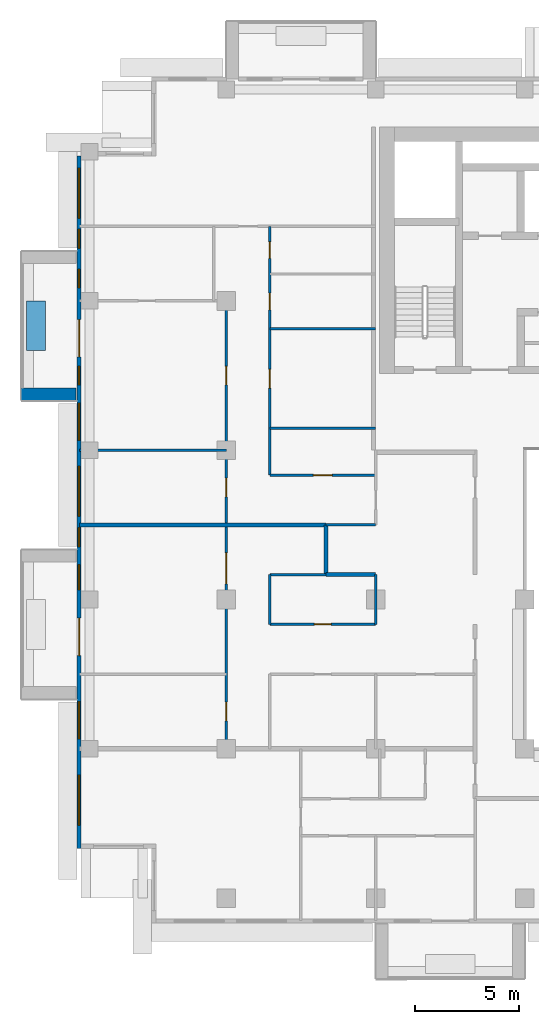
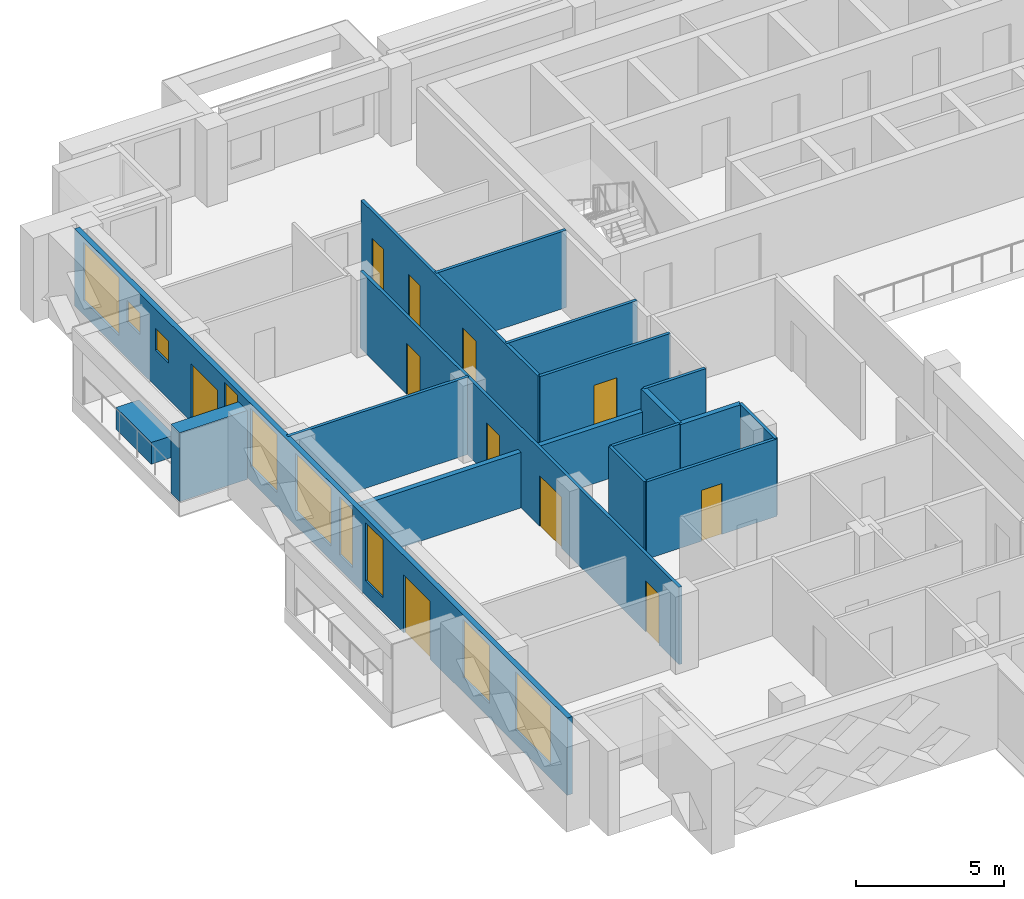
# One storey, part 7 of 20: 17 walls, 11 doors, 10 windows, 21 openings.
"""IFC4 building model written with IfcOpenShell, lengths in metres."""

import ifcopenshell
import ifcopenshell.guid

model = None  # the IFC model being written
_history = None  # IfcOwnerHistory: only IFC2X3 demands one
_inside = {}  # id of a spatial element -> (the spatial element, [elements in it])
_under = {}  # id of a project, library or spatial element -> (it, [spatial elements below it])
_declared = {}  # id of a project -> (the project, [libraries it declares])
_typed = {}  # id of a type object -> (the type object, [elements of that type])
_made_of = {}  # id of a material, layer set ... -> (it, [elements and type objects made of it])


def new_model(schema):
    """Start an empty IFC model of exactly this schema.

    Asked for "IFC4X3", IfcOpenShell would pick the latest addendum, in which some entities
    have other attributes; the version numbers below select the first issue.
    IFC2X3 requires an IfcOwnerHistory on every rooted entity: one is made here for all.
    """
    global model, _history
    if schema == "IFC4X3":
        model = ifcopenshell.file(schema_version=(4, 3, 0, 0))
    else:
        model = ifcopenshell.file(schema=schema)
    _inside.clear()
    _under.clear()
    _declared.clear()
    _typed.clear()
    _made_of.clear()
    _history = None
    if model.schema == "IFC2X3":
        org = make("IfcOrganization", Name="unknown")
        user = make(
            "IfcPersonAndOrganization",
            ThePerson=make("IfcPerson", FamilyName="unknown"),
            TheOrganization=org,
        )
        app = make(
            "IfcApplication",
            ApplicationDeveloper=org,
            Version="unknown",
            ApplicationFullName="unknown",
            ApplicationIdentifier="unknown",
        )
        _history = make(
            "IfcOwnerHistory",
            OwningUser=user,
            OwningApplication=app,
            ChangeAction="ADDED",
            CreationDate=0,
        )
    return model


def make(cls, **values):
    """One entity of the class cls with the attributes given. An attribute that is None is left unset."""
    return model.create_entity(
        cls, **{name: value for name, value in values.items() if value is not None}
    )


def rooted(cls, **values):
    """An entity with a GlobalId (a new one), such as an element, a storey or a relation."""
    return make(cls, GlobalId=ifcopenshell.guid.new(), OwnerHistory=_history, **values)


def si_unit(unit_type, name, prefix=None):
    """IfcSIUnit, for example si_unit("LENGTHUNIT", "METRE", prefix="MILLI")."""
    return make("IfcSIUnit", UnitType=unit_type, Prefix=prefix, Name=name)


def assignment(units):
    """IfcUnitAssignment: the units of a project."""
    return None if units is None else make("IfcUnitAssignment", Units=units)


def point(xyz):
    """IfcCartesianPoint."""
    return None if xyz is None else make("IfcCartesianPoint", Coordinates=xyz)


def direction(xyz):
    """IfcDirection."""
    return None if xyz is None else make("IfcDirection", DirectionRatios=xyz)


def frame(location, z_axis=None, x_axis=None):
    """IfcAxis2Placement3D, a coordinate frame: its origin and axes. An axis left out is left unset."""
    return make(
        "IfcAxis2Placement3D",
        Location=point(location),
        Axis=direction(z_axis),
        RefDirection=direction(x_axis),
    )


def frame_2d(location, x_axis=None):
    """IfcAxis2Placement2D, a coordinate frame in the plane: its origin and x axis."""
    return make(
        "IfcAxis2Placement2D", Location=point(location), RefDirection=direction(x_axis)
    )


def origin():
    """The frame at (0, 0, 0) with its axes left unset."""
    return frame((0.0, 0.0, 0.0))


def place(relative_to, where):
    """IfcLocalPlacement: puts the frame where relative to a parent placement (None: the world)."""
    return make(
        "IfcLocalPlacement", PlacementRelTo=relative_to, RelativePlacement=where
    )


def context(
    kind, dimensions, precision=None, world=None, true_north=None, identifier=None
):
    """IfcGeometricRepresentationContext, for example the 3D "Model" context."""
    return make(
        "IfcGeometricRepresentationContext",
        ContextIdentifier=identifier,
        ContextType=kind,
        CoordinateSpaceDimension=dimensions,
        Precision=precision,
        WorldCoordinateSystem=world,
        TrueNorth=true_north,
    )


def subcontext(parent, identifier, kind, view, scale=None):
    """IfcGeometricRepresentationSubContext, for example "Body" below "Model"."""
    return make(
        "IfcGeometricRepresentationSubContext",
        ContextIdentifier=identifier,
        ContextType=kind,
        ParentContext=parent,
        TargetScale=scale,
        TargetView=view,
    )


def project(units=None, contexts=None):
    """IfcProject with its units and contexts."""
    return rooted(
        "IfcProject",
        Name="project",
        RepresentationContexts=contexts,
        UnitsInContext=assignment(units),
    )


def spatial(cls, under=None, at=None, **own):
    """A site, building, storey or space (cls), placed at a placement, below another one or the project."""
    s = rooted(cls, ObjectPlacement=at, **own)
    if under is not None:
        _under.setdefault(under.id(), (under, []))[1].append(s)
    return s


def profile(cls, at=None, kind="AREA", **sizes):
    """A parametric profile (cls). Its sizes go by their IFC names, for example OverallWidth=200.0."""
    return make(cls, ProfileType=kind, Position=at, **sizes)


def rectangle(**sizes):
    """IfcRectangleProfileDef."""
    return profile("IfcRectangleProfileDef", **sizes)


def extrude(swept, where, along, depth):
    """IfcExtrudedAreaSolid: the profile swept, set in the frame where, extruded along a direction by depth."""
    return make(
        "IfcExtrudedAreaSolid",
        SweptArea=swept,
        Position=where,
        ExtrudedDirection=direction(along),
        Depth=depth,
    )


def shape(context_of_items, identifier, shape_type, items):
    """IfcShapeRepresentation: the items that make up one representation, for example the "Body"."""
    return make(
        "IfcShapeRepresentation",
        ContextOfItems=context_of_items,
        RepresentationIdentifier=identifier,
        RepresentationType=shape_type,
        Items=items,
    )


def material(Name=None, Category=None):
    """IfcMaterial."""
    return make("IfcMaterial", Name=Name, Category=Category)


def layer(
    of_material, thickness, ventilated=None, Name=None, Category=None, Priority=None
):
    """IfcMaterialLayer: one layer of a wall or slab, of a material (None: an air gap)."""
    return make(
        "IfcMaterialLayer",
        Material=of_material,
        LayerThickness=thickness,
        IsVentilated=ventilated,
        Name=Name,
        Category=Category,
        Priority=Priority,
    )


def layer_set(layers, Name=None):
    """IfcMaterialLayerSet."""
    return make("IfcMaterialLayerSet", MaterialLayers=layers, LayerSetName=Name)


def made_of(thing, what):
    """Note that an element or type object is made of a material, layer set ...; save() writes the relation."""
    if what is not None:
        _made_of.setdefault(what.id(), (what, []))[1].append(thing)
    return thing


def type_object(cls, material=None, **own):
    """A type object (cls), such as IfcWallType, which elements share."""
    return made_of(rooted(cls, **own), material)


def element(
    cls,
    number,
    at=None,
    inside=None,
    cuts=None,
    type_object=None,
    material=None,
    context=None,
    identifier="Body",
    shape_type=None,
    held_by="IfcProductDefinitionShape",
    body=None,
    shapes=None,
    **own,
):
    """One element of the class cls, such as IfcWall. Its Tag is "e" and its number.

    at: its placement. inside: the storey or other place that contains it. cuts: it is an
    opening in that element (IfcRelVoidsElement). A single representation is given by context,
    identifier, shape_type and body (its items); several are given by shapes. held_by: the class
    of the entity that holds the representations. save() writes the other relations.
    """
    e = rooted(cls, Tag="e%d" % number, ObjectPlacement=at, **own)
    if body is not None:
        shapes = [shape(context, identifier, shape_type, body)]
    if shapes is not None:
        e.Representation = make(held_by, Representations=shapes)
    if inside is not None:
        _inside.setdefault(inside.id(), (inside, []))[1].append(e)
    if cuts is not None:
        rooted(
            "IfcRelVoidsElement", RelatingBuildingElement=cuts, RelatedOpeningElement=e
        )
    if type_object is not None:
        _typed.setdefault(type_object.id(), (type_object, []))[1].append(e)
    return made_of(e, material)


def fill(opening, filler):
    """IfcRelFillsElement: the door or window that sits in an opening."""
    return rooted(
        "IfcRelFillsElement",
        RelatingOpeningElement=opening,
        RelatedBuildingElement=filler,
    )


def aggregate(whole, parts):
    """IfcRelAggregates: a whole, such as a stair, and the parts it consists of."""
    return rooted("IfcRelAggregates", RelatingObject=whole, RelatedObjects=parts)


def save(model, path):
    """Write the relations noted so far, then the file.

    IfcRelAggregates (storeys below a building ...), IfcRelContainedInSpatialStructure (elements
    in a storey), IfcRelDefinesByType, IfcRelAssociatesMaterial and IfcRelDeclares: one each for
    every whole, place, type object, material and project.
    """
    for whole, parts in _under.values():
        aggregate(whole, parts)
    for where, things in _inside.values():
        rooted(
            "IfcRelContainedInSpatialStructure",
            RelatedElements=things,
            RelatingStructure=where,
        )
    for kind, things in _typed.values():
        rooted("IfcRelDefinesByType", RelatedObjects=things, RelatingType=kind)
    for what, things in _made_of.values():
        rooted("IfcRelAssociatesMaterial", RelatedObjects=things, RelatingMaterial=what)
    for by, libraries in _declared.values():
        rooted("IfcRelDeclares", RelatingContext=by, RelatedDefinitions=libraries)
    model.write(path)


model = new_model("IFC4")

# Units and contexts
model_context = context("Model", 3, precision=1e-05, world=origin(), true_north=direction((0.0, 1.0)))
body_context = subcontext(model_context, "Body", "Model", "MODEL_VIEW")
ifc_project = project(units=[si_unit("LENGTHUNIT", "METRE"), si_unit("AREAUNIT", "SQUARE_METRE"), si_unit("VOLUMEUNIT", "CUBIC_METRE"), si_unit("PLANEANGLEUNIT", "RADIAN"), si_unit("MASSUNIT", "GRAM", prefix="KILO")], contexts=[model_context])

# Site, building, storey
site_placement = place(None, origin())
site = spatial("IfcSite", under=ifc_project, at=site_placement, CompositionType="ELEMENT")
building_placement = place(site_placement, origin())
building = spatial("IfcBuilding", under=site, at=building_placement, Name="Saffron Iwan Residences", CompositionType="ELEMENT")
storey_placement = place(building_placement, frame((0.0, 0.0, 178.0)))
storey = spatial("IfcBuildingStorey", under=building, at=storey_placement, Name="L47", CompositionType="ELEMENT", Elevation=178.0)

# Walls
ifc_material_1 = material(Name="Concrete C50/60 white painted", Category="concrete")
ifc_layer_1 = layer(ifc_material_1, 0.60009765625)
ifc_layer_set_1 = layer_set([ifc_layer_1], Name="Concrete C50/60 white painted")
wall_type_1 = type_object("IfcWallType", Name="BALCONY FIN 600", PredefinedType="SOLIDWALL", material=ifc_layer_set_1)
wall_1_placement = place(storey_placement, frame((14.35009765625, 65.10009765625, 0.0), z_axis=(0.0, 0.0, 1.0), x_axis=(-1.0, 0.0, 0.0)))
element("IfcWall", 1, at=wall_1_placement, inside=storey, type_object=wall_type_1, Name="Balcony fin L47 F8-0b", PredefinedType="SOLIDWALL", context=body_context, shape_type="SweptSolid", body=[
    extrude(rectangle(XDim=2.650146484375, YDim=0.60009765625, at=frame_2d((1.3251953125, 0.0))), origin(), (0.0, 0.0, 1.0), 2.85009765625),
])
ifc_material_2 = material(Name="Concrete C35/45 white painted", Category="concrete")
ifc_layer_2 = layer(ifc_material_2, 0.14990234375)
ifc_layer_set_2 = layer_set([ifc_layer_2], Name="Concrete C35/45 white painted")
wall_type_2 = type_object("IfcWallType", Name="BALCONY PLANTER", PredefinedType="SOLIDWALL", material=ifc_layer_set_2)
wall_2_placement = place(storey_placement, frame((12.425048828125, 69.60009765625, 0.0), z_axis=(0.0, 0.0, 1.0), x_axis=(0.0, -1.0, 0.0)))
element("IfcWall", 2, at=wall_2_placement, inside=storey, type_object=wall_type_2, Name="PLANTER L47 F8-0", PredefinedType="SOLIDWALL", context=body_context, shape_type="SweptSolid", body=[
    extrude(rectangle(XDim=2.400146484375, YDim=0.89990234375, at=frame_2d((1.2001953125, 0.0))), origin(), (0.0, 0.0, 1.0), 0.89990234375),
])

# Wall, openings, doors, windows
ifc_material_3 = material(Name="Concrete C40/50", Category="concrete")
ifc_layer_3 = layer(ifc_material_3, 0.199951171875)
ifc_layer_set_3 = layer_set([ifc_layer_3], Name="Concrete C40/50")
wall_type_3 = type_object("IfcWallType", Name="EXTERNAL WALL 200", PredefinedType="SOLIDWALL", material=ifc_layer_set_3)
wall_3_placement = place(storey_placement, frame((14.5, 76.60009765625, 0.0), z_axis=(0.0, 0.0, 1.0), x_axis=(0.0, -1.0, 0.0)))
wall_3 = element("IfcWall", 3, at=wall_3_placement, inside=storey, type_object=wall_type_3, Name="External wall L47 F8.0", PredefinedType="SOLIDWALL", context=body_context, shape_type="SweptSolid", body=[
    extrude(rectangle(XDim=33.400146484375, YDim=0.199951171875, at=frame_2d((16.7001953125, 0.0))), origin(), (0.0, 0.0, 1.0), 3.199951171875),
])
opening_1_placement = place(wall_3_placement, frame((7.89990234375, 0.0, 0.0)))
opening_1 = element("IfcOpeningElement", 4, at=opening_1_placement, cuts=wall_3, Name="Opening BD1", PredefinedType="OPENING", context=body_context, shape_type="SweptSolid", body=[
    extrude(rectangle(XDim=1.800048828125, YDim=2.39990234375, at=frame_2d((0.89990234375, 1.199951171875))), frame((0.0, 0.10986328125, 0.0), z_axis=(0.0, -1.0, 0.0), x_axis=(1.0, 0.0, 0.0)), (0.0, 0.0, 1.0), 0.219970703125),
])
opening_2_placement = place(wall_3_placement, frame((22.300048828125, 0.0, 0.0)))
opening_2 = element("IfcOpeningElement", 5, at=opening_2_placement, cuts=wall_3, Name="Opening BD1", PredefinedType="OPENING", context=body_context, shape_type="SweptSolid", body=[
    extrude(rectangle(XDim=1.800048828125, YDim=2.39990234375, at=frame_2d((0.89990234375, 1.199951171875))), frame((0.0, 0.10986328125, 0.0), z_axis=(0.0, -1.0, 0.0), x_axis=(1.0, 0.0, 0.0)), (0.0, 0.0, 1.0), 0.219970703125),
])
opening_3_placement = place(wall_3_placement, frame((29.875, 0.0, 0.60009765625)))
opening_3 = element("IfcOpeningElement", 6, at=opening_3_placement, cuts=wall_3, Name="Opening W1", PredefinedType="OPENING", context=body_context, shape_type="SweptSolid", body=[
    extrude(rectangle(XDim=2.39990234375, YDim=2.39990234375, at=frame_2d((1.199951171875, 1.199951171875))), frame((0.0, 0.10986328125, 0.0), z_axis=(0.0, -1.0, 0.0), x_axis=(1.0, 0.0, 0.0)), (0.0, 0.0, 1.0), 0.219970703125),
])
opening_4_placement = place(wall_3_placement, frame((26.324951171875, 0.0, 0.60009765625)))
opening_4 = element("IfcOpeningElement", 7, at=opening_4_placement, cuts=wall_3, Name="Opening W8", PredefinedType="OPENING", context=body_context, shape_type="SweptSolid", body=[
    extrude(rectangle(XDim=1.800048828125, YDim=2.39990234375, at=frame_2d((0.89990234375, 1.199951171875))), frame((0.0, 0.10986328125, 0.0), z_axis=(0.0, -1.0, 0.0), x_axis=(1.0, 0.0, 0.0)), (0.0, 0.0, 1.0), 0.219970703125),
])
opening_5_placement = place(wall_3_placement, frame((17.949951171875, 0.0, 0.60009765625)))
opening_5 = element("IfcOpeningElement", 8, at=opening_5_placement, cuts=wall_3, Name="Opening W10", PredefinedType="OPENING", context=body_context, shape_type="SweptSolid", body=[
    extrude(rectangle(XDim=0.89990234375, YDim=2.39990234375, at=frame_2d((0.449951171875, 1.199951171875))), frame((0.0, 0.10986328125, 0.0), z_axis=(0.0, -1.0, 0.0), x_axis=(1.0, 0.0, 0.0)), (0.0, 0.0, 1.0), 0.219970703125),
])
opening_6_placement = place(wall_3_placement, frame((19.72509765625, 0.0, 0.60009765625)))
opening_6 = element("IfcOpeningElement", 9, at=opening_6_placement, cuts=wall_3, Name="Opening W3", PredefinedType="OPENING", context=body_context, shape_type="SweptSolid", body=[
    extrude(rectangle(XDim=1.199951171875, YDim=2.39990234375, at=frame_2d((0.60009765625, 1.199951171875))), frame((0.0, 0.10986328125, 0.0), z_axis=(0.0, -1.0, 0.0), x_axis=(1.0, 0.0, 0.0)), (0.0, 0.0, 1.0), 0.219970703125),
])
opening_7_placement = place(wall_3_placement, frame((14.97509765625, 0.0, 0.60009765625)))
opening_7 = element("IfcOpeningElement", 10, at=opening_7_placement, cuts=wall_3, Name="Opening W1", PredefinedType="OPENING", context=body_context, shape_type="SweptSolid", body=[
    extrude(rectangle(XDim=2.39990234375, YDim=2.39990234375, at=frame_2d((1.199951171875, 1.199951171875))), frame((0.0, 0.10986328125, 0.0), z_axis=(0.0, -1.0, 0.0), x_axis=(1.0, 0.0, 0.0)), (0.0, 0.0, 1.0), 0.219970703125),
])
opening_8_placement = place(wall_3_placement, frame((10.14990234375, 0.0, 0.60009765625)))
opening_8 = element("IfcOpeningElement", 11, at=opening_8_placement, cuts=wall_3, Name="Opening W10", PredefinedType="OPENING", context=body_context, shape_type="SweptSolid", body=[
    extrude(rectangle(XDim=0.89990234375, YDim=2.39990234375, at=frame_2d((0.449951171875, 1.199951171875))), frame((0.0, 0.10986328125, 0.0), z_axis=(0.0, -1.0, 0.0), x_axis=(1.0, 0.0, 0.0)), (0.0, 0.0, 1.0), 0.219970703125),
])
opening_9_placement = place(wall_3_placement, frame((11.925048828125, 0.0, 0.60009765625)))
opening_9 = element("IfcOpeningElement", 12, at=opening_9_placement, cuts=wall_3, Name="Opening W8", PredefinedType="OPENING", context=body_context, shape_type="SweptSolid", body=[
    extrude(rectangle(XDim=1.800048828125, YDim=2.39990234375, at=frame_2d((0.89990234375, 1.199951171875))), frame((0.0, 0.10986328125, 0.0), z_axis=(0.0, -1.0, 0.0), x_axis=(1.0, 0.0, 0.0)), (0.0, 0.0, 1.0), 0.219970703125),
])
opening_10_placement = place(wall_3_placement, frame((3.550048828125, 0.0, 1.5)))
opening_10 = element("IfcOpeningElement", 13, at=opening_10_placement, cuts=wall_3, Name="Opening W6", PredefinedType="OPENING", context=body_context, shape_type="SweptSolid", body=[
    extrude(rectangle(XDim=0.89990234375, YDim=0.89990234375, at=frame_2d((0.449951171875, 0.449951171875))), frame((0.0, 0.10986328125, 0.0), z_axis=(0.0, -1.0, 0.0), x_axis=(1.0, 0.0, 0.0)), (0.0, 0.0, 1.0), 0.219970703125),
])
opening_11_placement = place(wall_3_placement, frame((5.47509765625, 0.0, 1.5)))
opening_11 = element("IfcOpeningElement", 14, at=opening_11_placement, cuts=wall_3, Name="Opening W6", PredefinedType="OPENING", context=body_context, shape_type="SweptSolid", body=[
    extrude(rectangle(XDim=0.89990234375, YDim=0.89990234375, at=frame_2d((0.449951171875, 0.449951171875))), frame((0.0, 0.10986328125, 0.0), z_axis=(0.0, -1.0, 0.0), x_axis=(1.0, 0.0, 0.0)), (0.0, 0.0, 1.0), 0.219970703125),
])
opening_12_placement = place(wall_3_placement, frame((0.60009765625, 0.0, 0.60009765625)))
opening_12 = element("IfcOpeningElement", 15, at=opening_12_placement, cuts=wall_3, Name="Opening W1", PredefinedType="OPENING", context=body_context, shape_type="SweptSolid", body=[
    extrude(rectangle(XDim=2.39990234375, YDim=2.39990234375, at=frame_2d((1.199951171875, 1.199951171875))), frame((0.0, 0.10986328125, 0.0), z_axis=(0.0, -1.0, 0.0), x_axis=(1.0, 0.0, 0.0)), (0.0, 0.0, 1.0), 0.219970703125),
])
ifc_material_4 = material(Name="Clear glass, laminated double glazed", Category="glass")
door_type_1 = type_object("IfcDoorType", Name="BALCONY DOOR 1800 x 2400", OperationType="DOUBLE_DOOR_SLIDING", PredefinedType="DOOR", material=ifc_material_4)
door_1_placement = place(opening_1_placement, origin())
door_1 = element("IfcDoor", 16, at=door_1_placement, inside=storey, type_object=door_type_1, Name="Balcony door L47 F8.0", OperationType="DOUBLE_DOOR_SLIDING", OverallHeight=2.39990234375, OverallWidth=1.800048828125, PredefinedType="DOOR", context=body_context, shape_type="SweptSolid", body=[
    extrude(rectangle(XDim=1.800048828125, YDim=2.39990234375, at=frame_2d((0.89990234375, 1.199951171875))), frame((0.0, 0.02490234375, 0.0), z_axis=(0.0, -1.0, 0.0), x_axis=(1.0, 0.0, 0.0)), (0.0, 0.0, 1.0), 0.050048828125),
])
fill(opening_1, door_1)
door_2_placement = place(opening_2_placement, origin())
door_2 = element("IfcDoor", 17, at=door_2_placement, inside=storey, type_object=door_type_1, Name="Balcony door L47 F8.1", OperationType="DOUBLE_DOOR_SLIDING", OverallHeight=2.39990234375, OverallWidth=1.800048828125, PredefinedType="DOOR", context=body_context, shape_type="SweptSolid", body=[
    extrude(rectangle(XDim=1.800048828125, YDim=2.39990234375, at=frame_2d((0.89990234375, 1.199951171875))), frame((0.0, 0.02490234375, 0.0), z_axis=(0.0, -1.0, 0.0), x_axis=(1.0, 0.0, 0.0)), (0.0, 0.0, 1.0), 0.050048828125),
])
fill(opening_2, door_2)
window_type_1 = type_object("IfcWindowType", Name="WINDOW 1200 x 2400", PartitioningType="SINGLE_PANEL", PredefinedType="WINDOW", material=ifc_material_4)
window_1_placement = place(opening_6_placement, origin())
window_1 = element("IfcWindow", 18, at=window_1_placement, inside=storey, type_object=window_type_1, Name="Window L47 F8.5", OverallHeight=2.39990234375, OverallWidth=1.199951171875, PartitioningType="SINGLE_PANEL", PredefinedType="WINDOW", context=body_context, shape_type="SweptSolid", body=[
    extrude(rectangle(XDim=1.199951171875, YDim=2.39990234375, at=frame_2d((0.60009765625, 1.199951171875))), frame((0.0, 0.030029296875, 0.0), z_axis=(0.0, -1.0, 0.0), x_axis=(1.0, 0.0, 0.0)), (0.0, 0.0, 1.0), 0.06005859375),
])
fill(opening_6, window_1)
window_type_2 = type_object("IfcWindowType", Name="WINDOW 1800 x 2400", PartitioningType="DOUBLE_PANEL_VERTICAL", PredefinedType="WINDOW", material=ifc_material_4)
window_2_placement = place(opening_4_placement, origin())
window_2 = element("IfcWindow", 19, at=window_2_placement, inside=storey, type_object=window_type_2, Name="Window L47 F8.3", OverallHeight=2.39990234375, OverallWidth=1.800048828125, PartitioningType="DOUBLE_PANEL_VERTICAL", PredefinedType="WINDOW", context=body_context, shape_type="SweptSolid", body=[
    extrude(rectangle(XDim=1.800048828125, YDim=2.39990234375, at=frame_2d((0.89990234375, 1.199951171875))), frame((0.0, 0.030029296875, 0.0), z_axis=(0.0, -1.0, 0.0), x_axis=(1.0, 0.0, 0.0)), (0.0, 0.0, 1.0), 0.06005859375),
])
fill(opening_4, window_2)
window_3_placement = place(opening_9_placement, origin())
window_3 = element("IfcWindow", 20, at=window_3_placement, inside=storey, type_object=window_type_2, Name="Window L47 F8.8", OverallHeight=2.39990234375, OverallWidth=1.800048828125, PartitioningType="DOUBLE_PANEL_VERTICAL", PredefinedType="WINDOW", context=body_context, shape_type="SweptSolid", body=[
    extrude(rectangle(XDim=1.800048828125, YDim=2.39990234375, at=frame_2d((0.89990234375, 1.199951171875))), frame((0.0, 0.030029296875, 0.0), z_axis=(0.0, -1.0, 0.0), x_axis=(1.0, 0.0, 0.0)), (0.0, 0.0, 1.0), 0.06005859375),
])
fill(opening_9, window_3)
window_type_3 = type_object("IfcWindowType", Name="WINDOW 2400 x 2400", PartitioningType="DOUBLE_PANEL_VERTICAL", PredefinedType="WINDOW", material=ifc_material_4)
window_4_placement = place(opening_3_placement, origin())
window_4 = element("IfcWindow", 21, at=window_4_placement, inside=storey, type_object=window_type_3, Name="Window L47 F8.2", OverallHeight=2.39990234375, OverallWidth=2.39990234375, PartitioningType="DOUBLE_PANEL_VERTICAL", PredefinedType="WINDOW", context=body_context, shape_type="SweptSolid", body=[
    extrude(rectangle(XDim=2.39990234375, YDim=2.39990234375, at=frame_2d((1.199951171875, 1.199951171875))), frame((0.0, 0.030029296875, 0.0), z_axis=(0.0, -1.0, 0.0), x_axis=(1.0, 0.0, 0.0)), (0.0, 0.0, 1.0), 0.06005859375),
])
fill(opening_3, window_4)
window_5_placement = place(opening_7_placement, origin())
window_5 = element("IfcWindow", 22, at=window_5_placement, inside=storey, type_object=window_type_3, Name="Window L47 F8.6", OverallHeight=2.39990234375, OverallWidth=2.39990234375, PartitioningType="DOUBLE_PANEL_VERTICAL", PredefinedType="WINDOW", context=body_context, shape_type="SweptSolid", body=[
    extrude(rectangle(XDim=2.39990234375, YDim=2.39990234375, at=frame_2d((1.199951171875, 1.199951171875))), frame((0.0, 0.030029296875, 0.0), z_axis=(0.0, -1.0, 0.0), x_axis=(1.0, 0.0, 0.0)), (0.0, 0.0, 1.0), 0.06005859375),
])
fill(opening_7, window_5)
window_6_placement = place(opening_12_placement, origin())
window_6 = element("IfcWindow", 23, at=window_6_placement, inside=storey, type_object=window_type_3, Name="Window L47 F8.11", OverallHeight=2.39990234375, OverallWidth=2.39990234375, PartitioningType="DOUBLE_PANEL_VERTICAL", PredefinedType="WINDOW", context=body_context, shape_type="SweptSolid", body=[
    extrude(rectangle(XDim=2.39990234375, YDim=2.39990234375, at=frame_2d((1.199951171875, 1.199951171875))), frame((0.0, 0.030029296875, 0.0), z_axis=(0.0, -1.0, 0.0), x_axis=(1.0, 0.0, 0.0)), (0.0, 0.0, 1.0), 0.06005859375),
])
fill(opening_12, window_6)
window_type_4 = type_object("IfcWindowType", Name="WINDOW 900 x 2400", PartitioningType="SINGLE_PANEL", PredefinedType="WINDOW", material=ifc_material_4)
window_7_placement = place(opening_5_placement, origin())
window_7 = element("IfcWindow", 24, at=window_7_placement, inside=storey, type_object=window_type_4, Name="Window L47 F8.4", OverallHeight=2.39990234375, OverallWidth=0.89990234375, PartitioningType="SINGLE_PANEL", PredefinedType="WINDOW", context=body_context, shape_type="SweptSolid", body=[
    extrude(rectangle(XDim=0.89990234375, YDim=2.39990234375, at=frame_2d((0.449951171875, 1.199951171875))), frame((0.0, 0.030029296875, 0.0), z_axis=(0.0, -1.0, 0.0), x_axis=(1.0, 0.0, 0.0)), (0.0, 0.0, 1.0), 0.06005859375),
])
fill(opening_5, window_7)
window_8_placement = place(opening_8_placement, origin())
window_8 = element("IfcWindow", 25, at=window_8_placement, inside=storey, type_object=window_type_4, Name="Window L47 F8.7", OverallHeight=2.39990234375, OverallWidth=0.89990234375, PartitioningType="SINGLE_PANEL", PredefinedType="WINDOW", context=body_context, shape_type="SweptSolid", body=[
    extrude(rectangle(XDim=0.89990234375, YDim=2.39990234375, at=frame_2d((0.449951171875, 1.199951171875))), frame((0.0, 0.030029296875, 0.0), z_axis=(0.0, -1.0, 0.0), x_axis=(1.0, 0.0, 0.0)), (0.0, 0.0, 1.0), 0.06005859375),
])
fill(opening_8, window_8)
window_type_5 = type_object("IfcWindowType", Name="WINDOW 900 x 900 BATH", PartitioningType="SINGLE_PANEL", PredefinedType="WINDOW", material=ifc_material_4)
window_9_placement = place(opening_10_placement, origin())
window_9 = element("IfcWindow", 26, at=window_9_placement, inside=storey, type_object=window_type_5, Name="Window L47 F8.9", OverallHeight=0.89990234375, OverallWidth=0.89990234375, PartitioningType="SINGLE_PANEL", PredefinedType="WINDOW", context=body_context, shape_type="SweptSolid", body=[
    extrude(rectangle(XDim=0.89990234375, YDim=0.89990234375, at=frame_2d((0.449951171875, 0.449951171875))), frame((0.0, 0.030029296875, 0.0), z_axis=(0.0, -1.0, 0.0), x_axis=(1.0, 0.0, 0.0)), (0.0, 0.0, 1.0), 0.06005859375),
])
fill(opening_10, window_9)
window_10_placement = place(opening_11_placement, origin())
window_10 = element("IfcWindow", 27, at=window_10_placement, inside=storey, type_object=window_type_5, Name="Window L47 F8.10", OverallHeight=0.89990234375, OverallWidth=0.89990234375, PartitioningType="SINGLE_PANEL", PredefinedType="WINDOW", context=body_context, shape_type="SweptSolid", body=[
    extrude(rectangle(XDim=0.89990234375, YDim=0.89990234375, at=frame_2d((0.449951171875, 0.449951171875))), frame((0.0, 0.030029296875, 0.0), z_axis=(0.0, -1.0, 0.0), x_axis=(1.0, 0.0, 0.0)), (0.0, 0.0, 1.0), 0.06005859375),
])
fill(opening_11, window_10)

# Walls
ifc_material_5 = material(Name="Fire-rated gypsum board wall")
ifc_layer_4 = layer(ifc_material_5, 0.199951171875)
ifc_layer_set_4 = layer_set([ifc_layer_4], Name="Fire-rated gypsum board wall")
wall_type_4 = type_object("IfcWallType", Name="Flat demising wall 200", PredefinedType="SOLIDWALL", material=ifc_layer_set_4)
wall_4_placement = place(storey_placement, frame((26.39990234375, 56.39990234375, 0.0), z_axis=(0.0, 0.0, 1.0), x_axis=(1.0, 0.0, 0.0)))
element("IfcWall", 28, at=wall_4_placement, inside=storey, type_object=wall_type_4, Name="W-L47-DEMISE-h56.4-26.4", PredefinedType="SOLIDWALL", context=body_context, shape_type="SweptSolid", body=[
    extrude(rectangle(XDim=2.400146484375, YDim=0.199951171875, at=frame_2d((1.2001953125, 0.0))), origin(), (0.0, 0.0, 1.0), 3.199951171875),
])
wall_5_placement = place(storey_placement, frame((14.52490234375, 58.800048828125, 0.0), z_axis=(0.0, 0.0, 1.0), x_axis=(1.0, 0.0, 0.0)))
element("IfcWall", 29, at=wall_5_placement, inside=storey, type_object=wall_type_4, Name="W-L47-DEMISE-h58.8-14.525", PredefinedType="SOLIDWALL", context=body_context, shape_type="SweptSolid", body=[
    extrude(rectangle(XDim=11.875, YDim=0.199951171875, at=frame_2d((5.9375, 0.0))), origin(), (0.0, 0.0, 1.0), 2.300048828125),
])
wall_6_placement = place(storey_placement, frame((26.39990234375, 56.39990234375, 0.0), z_axis=(0.0, 0.0, 1.0), x_axis=(0.0, 1.0, 0.0)))
element("IfcWall", 30, at=wall_6_placement, inside=storey, type_object=wall_type_4, Name="W-L47-DEMISE-v26.4-56.4", PredefinedType="SOLIDWALL", context=body_context, shape_type="SweptSolid", body=[
    extrude(rectangle(XDim=2.400146484375, YDim=0.199951171875, at=frame_2d((1.2001953125, 0.0))), origin(), (0.0, 0.0, 1.0), 3.199951171875),
])

# Wall, opening, door
ifc_material_6 = material(Name="Gypsum board partition")
ifc_layer_5 = layer(ifc_material_6, 0.1201171875)
ifc_layer_set_5 = layer_set([ifc_layer_5], Name="Gypsum board partition")
wall_type_5 = type_object("IfcWallType", Name="Flat partition 120", PredefinedType="PARTITIONING", material=ifc_layer_set_5)
wall_7_placement = place(storey_placement, frame((23.699951171875, 54.0, 0.0), z_axis=(0.0, 0.0, 1.0), x_axis=(1.0, 0.0, 0.0)))
wall_7 = element("IfcWall", 31, at=wall_7_placement, inside=storey, type_object=wall_type_5, Name="W-L47-PART-h54-23.7", PredefinedType="PARTITIONING", context=body_context, shape_type="SweptSolid", body=[
    extrude(rectangle(XDim=5.10009765625, YDim=0.1201171875, at=frame_2d((2.550048828125, 0.0))), origin(), (0.0, 0.0, 1.0), 3.199951171875),
])
opening_13_placement = place(wall_7_placement, frame((2.14990234375, 0.0, 0.0)))
opening_13 = element("IfcOpeningElement", 32, at=opening_13_placement, cuts=wall_7, Name="Opening FD3", PredefinedType="OPENING", context=body_context, shape_type="SweptSolid", body=[
    extrude(rectangle(XDim=0.800048828125, YDim=2.10009765625, at=frame_2d((0.39990234375, 1.050048828125))), frame((0.0, 0.070068359375, 0.0), z_axis=(0.0, -1.0, 0.0), x_axis=(1.0, 0.0, 0.0)), (0.0, 0.0, 1.0), 0.14013671875),
])
ifc_material_7 = material(Name="Timber door", Category="wood")
door_type_2 = type_object("IfcDoorType", Name="Bathroom door 800", OperationType="NOTDEFINED", PredefinedType="DOOR", material=ifc_material_7)
door_3_placement = place(opening_13_placement, origin())
door_3 = element("IfcDoor", 33, at=door_3_placement, inside=storey, type_object=door_type_2, Name="Door L47-012", OperationType="SINGLE_SWING_LEFT", OverallHeight=2.10009765625, OverallWidth=0.800048828125, PredefinedType="DOOR", context=body_context, shape_type="SweptSolid", body=[
    extrude(rectangle(XDim=0.800048828125, YDim=2.10009765625, at=frame_2d((0.39990234375, 1.050048828125))), frame((0.0, 0.02490234375, 0.0), z_axis=(0.0, -1.0, 0.0), x_axis=(1.0, 0.0, 0.0)), (0.0, 0.0, 1.0), 0.050048828125),
])
fill(opening_13, door_3)

# Walls
wall_8_placement = place(storey_placement, frame((23.699951171875, 56.39990234375, 0.0), z_axis=(0.0, 0.0, 1.0), x_axis=(1.0, 0.0, 0.0)))
element("IfcWall", 34, at=wall_8_placement, inside=storey, type_object=wall_type_5, Name="W-L47-PART-h56.4-23.7", PredefinedType="PARTITIONING", context=body_context, shape_type="SweptSolid", body=[
    extrude(rectangle(XDim=2.699951171875, YDim=0.1201171875, at=frame_2d((1.35009765625, 0.0))), origin(), (0.0, 0.0, 1.0), 3.199951171875),
])
wall_9_placement = place(storey_placement, frame((26.39990234375, 58.800048828125, 0.0), z_axis=(0.0, 0.0, 1.0), x_axis=(1.0, 0.0, 0.0)))
element("IfcWall", 35, at=wall_9_placement, inside=storey, type_object=wall_type_5, Name="W-L47-PART-h58.8-26.4", PredefinedType="PARTITIONING", context=body_context, shape_type="SweptSolid", body=[
    extrude(rectangle(XDim=2.400146484375, YDim=0.1201171875, at=frame_2d((1.2001953125, 0.0))), origin(), (0.0, 0.0, 1.0), 3.199951171875),
])

# Wall, opening, door
wall_10_placement = place(storey_placement, frame((23.699951171875, 61.199951171875, 0.0), z_axis=(0.0, 0.0, 1.0), x_axis=(1.0, 0.0, 0.0)))
wall_10 = element("IfcWall", 36, at=wall_10_placement, inside=storey, type_object=wall_type_5, Name="W-L47-PART-h61.2-23.7", PredefinedType="PARTITIONING", context=body_context, shape_type="SweptSolid", body=[
    extrude(rectangle(XDim=5.10009765625, YDim=0.1201171875, at=frame_2d((2.550048828125, 0.0))), origin(), (0.0, 0.0, 1.0), 3.199951171875),
])
opening_14_placement = place(wall_10_placement, frame((2.10009765625, 0.0, 0.0)))
opening_14 = element("IfcOpeningElement", 37, at=opening_14_placement, cuts=wall_10, Name="Opening FD2", PredefinedType="OPENING", context=body_context, shape_type="SweptSolid", body=[
    extrude(rectangle(XDim=0.89990234375, YDim=2.10009765625, at=frame_2d((0.449951171875, 1.050048828125))), frame((0.0, 0.070068359375, 0.0), z_axis=(0.0, -1.0, 0.0), x_axis=(1.0, 0.0, 0.0)), (0.0, 0.0, 1.0), 0.14013671875),
])
door_type_3 = type_object("IfcDoorType", Name="Flat door 900", OperationType="NOTDEFINED", PredefinedType="DOOR", material=ifc_material_7)
door_4_placement = place(opening_14_placement, origin())
door_4 = element("IfcDoor", 38, at=door_4_placement, inside=storey, type_object=door_type_3, Name="Door L47-026", OperationType="SINGLE_SWING_RIGHT", OverallHeight=2.10009765625, OverallWidth=0.89990234375, PredefinedType="DOOR", context=body_context, shape_type="SweptSolid", body=[
    extrude(rectangle(XDim=0.89990234375, YDim=2.10009765625, at=frame_2d((0.449951171875, 1.050048828125))), frame((0.0, 0.02490234375, 0.0), z_axis=(0.0, -1.0, 0.0), x_axis=(1.0, 0.0, 0.0)), (0.0, 0.0, 1.0), 0.050048828125),
])
fill(opening_14, door_4)

# Walls
wall_11_placement = place(storey_placement, frame((14.52490234375, 62.39990234375, 0.0), z_axis=(0.0, 0.0, 1.0), x_axis=(1.0, 0.0, 0.0)))
element("IfcWall", 39, at=wall_11_placement, inside=storey, type_object=wall_type_5, Name="W-L47-PART-h62.4-14.525", PredefinedType="PARTITIONING", context=body_context, shape_type="SweptSolid", body=[
    extrude(rectangle(XDim=7.0751953125, YDim=0.1201171875, at=frame_2d((3.53759765625, 0.0))), origin(), (0.0, 0.0, 1.0), 3.199951171875),
])
for number, where, z_axis, x_axis, name in (
    (40, (23.699951171875, 63.449951171875, 0.0), (0.0, 0.0, 1.0), (1.0, 0.0, 0.0), "W-L47-PART-h63.45-23.7"),
    (41, (23.699951171875, 68.25, 0.0), (0.0, 0.0, 1.0), (1.0, 0.0, 0.0), "W-L47-PART-h68.25-23.7"),
):
    element("IfcWall", number, at=place(storey_placement, frame(where, z_axis=z_axis, x_axis=x_axis)), inside=storey, type_object=wall_type_5, Name=name, PredefinedType="PARTITIONING", context=body_context, shape_type="SweptSolid", body=[
        extrude(rectangle(XDim=5.10009765625, YDim=0.1201171875, at=frame_2d((2.550048828125, 0.0))), origin(), (0.0, 0.0, 1.0), 3.199951171875),
    ])

# Wall, openings, doors
wall_12_placement = place(storey_placement, frame((21.60009765625, 48.0, 0.0), z_axis=(0.0, 0.0, 1.0), x_axis=(0.0, 1.0, 0.0)))
wall_12 = element("IfcWall", 42, at=wall_12_placement, inside=storey, type_object=wall_type_5, Name="W-L47-PART-v21.6-48", PredefinedType="PARTITIONING", context=body_context, shape_type="SweptSolid", body=[
    extrude(rectangle(XDim=21.60009765625, YDim=0.1201171875, at=frame_2d((10.800048828125, 0.0))), origin(), (0.0, 0.0, 1.0), 3.199951171875),
])
opening_15_placement = place(wall_12_placement, frame((1.35009765625, 0.0, 0.0)))
opening_15 = element("IfcOpeningElement", 43, at=opening_15_placement, cuts=wall_12, Name="Opening FD2", PredefinedType="OPENING", context=body_context, shape_type="SweptSolid", body=[
    extrude(rectangle(XDim=0.89990234375, YDim=2.10009765625, at=frame_2d((0.449951171875, 1.050048828125))), frame((0.0, 0.070068359375, 0.0), z_axis=(0.0, -1.0, 0.0), x_axis=(1.0, 0.0, 0.0)), (0.0, 0.0, 1.0), 0.14013671875),
])
opening_16_placement = place(wall_12_placement, frame((7.949951171875, 0.0, 0.0)))
opening_16 = element("IfcOpeningElement", 44, at=opening_16_placement, cuts=wall_12, Name="Opening FD4", PredefinedType="OPENING", context=body_context, shape_type="SweptSolid", body=[
    extrude(rectangle(XDim=1.5, YDim=2.10009765625, at=frame_2d((0.75, 1.050048828125))), frame((0.0, 0.070068359375, 0.0), z_axis=(0.0, -1.0, 0.0), x_axis=(1.0, 0.0, 0.0)), (0.0, 0.0, 1.0), 0.14013671875),
])
opening_17_placement = place(wall_12_placement, frame((12.14990234375, 0.0, 0.0)))
opening_17 = element("IfcOpeningElement", 45, at=opening_17_placement, cuts=wall_12, Name="Opening FD2", PredefinedType="OPENING", context=body_context, shape_type="SweptSolid", body=[
    extrude(rectangle(XDim=0.89990234375, YDim=2.10009765625, at=frame_2d((0.449951171875, 1.050048828125))), frame((0.0, 0.070068359375, 0.0), z_axis=(0.0, -1.0, 0.0), x_axis=(1.0, 0.0, 0.0)), (0.0, 0.0, 1.0), 0.14013671875),
])
opening_18_placement = place(wall_12_placement, frame((17.550048828125, 0.0, 0.0)))
opening_18 = element("IfcOpeningElement", 46, at=opening_18_placement, cuts=wall_12, Name="Opening FD2", PredefinedType="OPENING", context=body_context, shape_type="SweptSolid", body=[
    extrude(rectangle(XDim=0.89990234375, YDim=2.10009765625, at=frame_2d((0.449951171875, 1.050048828125))), frame((0.0, 0.070068359375, 0.0), z_axis=(0.0, -1.0, 0.0), x_axis=(1.0, 0.0, 0.0)), (0.0, 0.0, 1.0), 0.14013671875),
])
door_type_4 = type_object("IfcDoorType", Name="Double door 1500", OperationType="NOTDEFINED", PredefinedType="DOOR", material=ifc_material_7)
door_5_placement = place(opening_16_placement, origin())
door_5 = element("IfcDoor", 47, at=door_5_placement, inside=storey, type_object=door_type_4, Name="Door L47-010", OperationType="SINGLE_SWING_RIGHT", OverallHeight=2.10009765625, OverallWidth=1.5, PredefinedType="DOOR", context=body_context, shape_type="SweptSolid", body=[
    extrude(rectangle(XDim=1.5, YDim=2.10009765625, at=frame_2d((0.75, 1.050048828125))), frame((0.0, 0.02490234375, 0.0), z_axis=(0.0, -1.0, 0.0), x_axis=(1.0, 0.0, 0.0)), (0.0, 0.0, 1.0), 0.050048828125),
])
fill(opening_16, door_5)
door_6_placement = place(opening_15_placement, origin())
door_6 = element("IfcDoor", 48, at=door_6_placement, inside=storey, type_object=door_type_3, Name="Door L47-009", OperationType="SINGLE_SWING_LEFT", OverallHeight=2.10009765625, OverallWidth=0.89990234375, PredefinedType="DOOR", context=body_context, shape_type="SweptSolid", body=[
    extrude(rectangle(XDim=0.89990234375, YDim=2.10009765625, at=frame_2d((0.449951171875, 1.050048828125))), frame((0.0, 0.02490234375, 0.0), z_axis=(0.0, -1.0, 0.0), x_axis=(1.0, 0.0, 0.0)), (0.0, 0.0, 1.0), 0.050048828125),
])
fill(opening_15, door_6)
door_7_placement = place(opening_17_placement, origin())
door_7 = element("IfcDoor", 49, at=door_7_placement, inside=storey, type_object=door_type_3, Name="Door L47-022", OperationType="SINGLE_SWING_LEFT", OverallHeight=2.10009765625, OverallWidth=0.89990234375, PredefinedType="DOOR", context=body_context, shape_type="SweptSolid", body=[
    extrude(rectangle(XDim=0.89990234375, YDim=2.10009765625, at=frame_2d((0.449951171875, 1.050048828125))), frame((0.0, 0.02490234375, 0.0), z_axis=(0.0, -1.0, 0.0), x_axis=(1.0, 0.0, 0.0)), (0.0, 0.0, 1.0), 0.050048828125),
])
fill(opening_17, door_7)
door_8_placement = place(opening_18_placement, origin())
door_8 = element("IfcDoor", 50, at=door_8_placement, inside=storey, type_object=door_type_3, Name="Door L47-023", OperationType="SINGLE_SWING_RIGHT", OverallHeight=2.10009765625, OverallWidth=0.89990234375, PredefinedType="DOOR", context=body_context, shape_type="SweptSolid", body=[
    extrude(rectangle(XDim=0.89990234375, YDim=2.10009765625, at=frame_2d((0.449951171875, 1.050048828125))), frame((0.0, 0.02490234375, 0.0), z_axis=(0.0, -1.0, 0.0), x_axis=(1.0, 0.0, 0.0)), (0.0, 0.0, 1.0), 0.050048828125),
])
fill(opening_18, door_8)

# Wall
wall_13_placement = place(storey_placement, frame((23.699951171875, 54.0, 0.0), z_axis=(0.0, 0.0, 1.0), x_axis=(0.0, 1.0, 0.0)))
element("IfcWall", 51, at=wall_13_placement, inside=storey, type_object=wall_type_5, Name="W-L47-PART-v23.7-54", PredefinedType="PARTITIONING", context=body_context, shape_type="SweptSolid", body=[
    extrude(rectangle(XDim=2.39990234375, YDim=0.1201171875, at=frame_2d((1.199951171875, 0.0))), origin(), (0.0, 0.0, 1.0), 3.199951171875),
])

# Wall, openings, doors
wall_14_placement = place(storey_placement, frame((23.699951171875, 61.199951171875, 0.0), z_axis=(0.0, 0.0, 1.0), x_axis=(0.0, 1.0, 0.0)))
wall_14 = element("IfcWall", 52, at=wall_14_placement, inside=storey, type_object=wall_type_5, Name="W-L47-PART-v23.7-61.2", PredefinedType="PARTITIONING", context=body_context, shape_type="SweptSolid", body=[
    extrude(rectangle(XDim=12.0, YDim=0.1201171875, at=frame_2d((6.0, 0.0))), origin(), (0.0, 0.0, 1.0), 3.199951171875),
])
opening_19_placement = place(wall_14_placement, frame((4.199951171875, 0.0, 0.0)))
opening_19 = element("IfcOpeningElement", 53, at=opening_19_placement, cuts=wall_14, Name="Opening FD2", PredefinedType="OPENING", context=body_context, shape_type="SweptSolid", body=[
    extrude(rectangle(XDim=0.89990234375, YDim=2.10009765625, at=frame_2d((0.449951171875, 1.050048828125))), frame((0.0, 0.070068359375, 0.0), z_axis=(0.0, -1.0, 0.0), x_axis=(1.0, 0.0, 0.0)), (0.0, 0.0, 1.0), 0.14013671875),
])
opening_20_placement = place(wall_14_placement, frame((7.97509765625, 0.0, 0.0)))
opening_20 = element("IfcOpeningElement", 54, at=opening_20_placement, cuts=wall_14, Name="Opening FD3", PredefinedType="OPENING", context=body_context, shape_type="SweptSolid", body=[
    extrude(rectangle(XDim=0.800048828125, YDim=2.10009765625, at=frame_2d((0.39990234375, 1.050048828125))), frame((0.0, 0.070068359375, 0.0), z_axis=(0.0, -1.0, 0.0), x_axis=(1.0, 0.0, 0.0)), (0.0, 0.0, 1.0), 0.14013671875),
])
opening_21_placement = place(wall_14_placement, frame((10.449951171875, 0.0, 0.0)))
opening_21 = element("IfcOpeningElement", 55, at=opening_21_placement, cuts=wall_14, Name="Opening FD3", PredefinedType="OPENING", context=body_context, shape_type="SweptSolid", body=[
    extrude(rectangle(XDim=0.800048828125, YDim=2.10009765625, at=frame_2d((0.39990234375, 1.050048828125))), frame((0.0, 0.070068359375, 0.0), z_axis=(0.0, -1.0, 0.0), x_axis=(1.0, 0.0, 0.0)), (0.0, 0.0, 1.0), 0.14013671875),
])
door_9_placement = place(opening_20_placement, origin())
door_9 = element("IfcDoor", 56, at=door_9_placement, inside=storey, type_object=door_type_2, Name="Door L47-028", OperationType="SINGLE_SWING_LEFT", OverallHeight=2.10009765625, OverallWidth=0.800048828125, PredefinedType="DOOR", context=body_context, shape_type="SweptSolid", body=[
    extrude(rectangle(XDim=0.800048828125, YDim=2.10009765625, at=frame_2d((0.39990234375, 1.050048828125))), frame((0.0, 0.02490234375, 0.0), z_axis=(0.0, -1.0, 0.0), x_axis=(1.0, 0.0, 0.0)), (0.0, 0.0, 1.0), 0.050048828125),
])
fill(opening_20, door_9)
door_10_placement = place(opening_21_placement, origin())
door_10 = element("IfcDoor", 57, at=door_10_placement, inside=storey, type_object=door_type_2, Name="Door L47-029", OperationType="SINGLE_SWING_RIGHT", OverallHeight=2.10009765625, OverallWidth=0.800048828125, PredefinedType="DOOR", context=body_context, shape_type="SweptSolid", body=[
    extrude(rectangle(XDim=0.800048828125, YDim=2.10009765625, at=frame_2d((0.39990234375, 1.050048828125))), frame((0.0, 0.02490234375, 0.0), z_axis=(0.0, -1.0, 0.0), x_axis=(1.0, 0.0, 0.0)), (0.0, 0.0, 1.0), 0.050048828125),
])
fill(opening_21, door_10)
door_11_placement = place(opening_19_placement, origin())
door_11 = element("IfcDoor", 58, at=door_11_placement, inside=storey, type_object=door_type_3, Name="Door L47-027", OperationType="SINGLE_SWING_LEFT", OverallHeight=2.10009765625, OverallWidth=0.89990234375, PredefinedType="DOOR", context=body_context, shape_type="SweptSolid", body=[
    extrude(rectangle(XDim=0.89990234375, YDim=2.10009765625, at=frame_2d((0.449951171875, 1.050048828125))), frame((0.0, 0.02490234375, 0.0), z_axis=(0.0, -1.0, 0.0), x_axis=(1.0, 0.0, 0.0)), (0.0, 0.0, 1.0), 0.050048828125),
])
fill(opening_19, door_11)

# Wall
wall_15_placement = place(storey_placement, frame((28.800048828125, 54.0, 0.0), z_axis=(0.0, 0.0, 1.0), x_axis=(0.0, 1.0, 0.0)))
element("IfcWall", 59, at=wall_15_placement, inside=storey, type_object=wall_type_5, Name="W-L47-PART-v28.8-54", PredefinedType="PARTITIONING", context=body_context, shape_type="SweptSolid", body=[
    extrude(rectangle(XDim=2.39990234375, YDim=0.1201171875, at=frame_2d((1.199951171875, 0.0))), origin(), (0.0, 0.0, 1.0), 3.199951171875),
])

save(model, "model.ifc")
